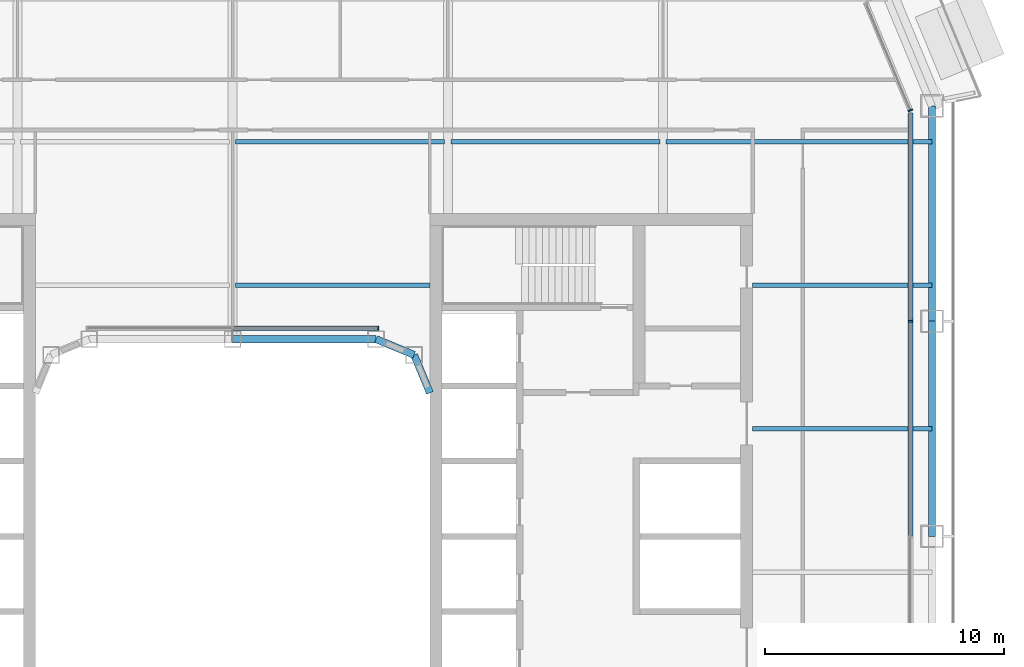
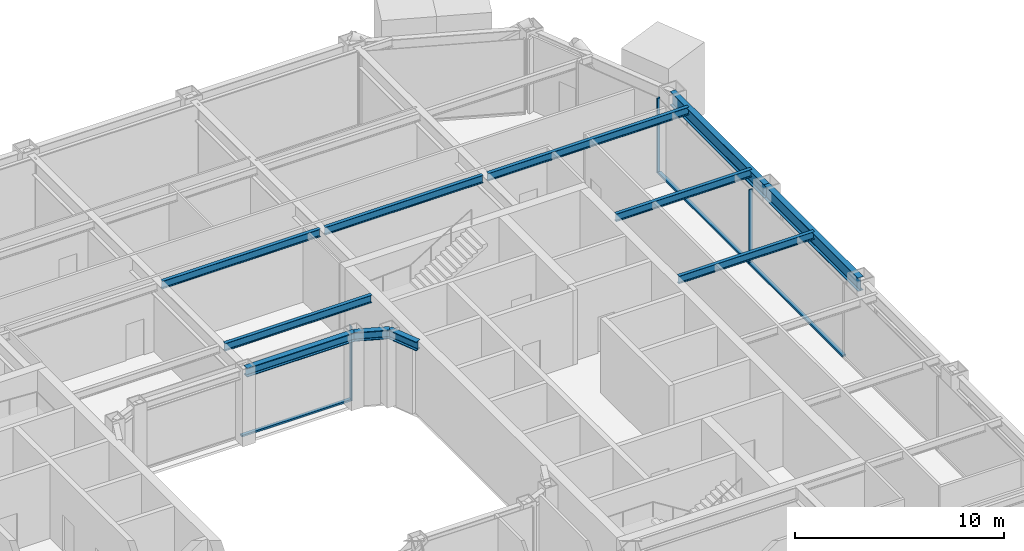
# One storey, part 8 of 24: 11 beams, 6 members, 3 elements without a shape of their own.
"""IFC4 building model written with IfcOpenShell, lengths in metres."""

from ifc_helpers import new_model, si_unit, direction, frame, origin, origin_2d, place, context, subcontext, project, spatial, rectangle, i_section, extrude, material, layer, layer_set, material_profile, profile_set, type_object, element, aggregate, save


model = new_model("IFC4")

# Units and contexts
model_context = context("Model", 3, precision=1e-05, world=origin(), true_north=direction((0.0, 1.0)))
body_context = subcontext(model_context, "Body", "Model", "MODEL_VIEW")
ifc_project = project(units=[si_unit("LENGTHUNIT", "METRE"), si_unit("AREAUNIT", "SQUARE_METRE"), si_unit("VOLUMEUNIT", "CUBIC_METRE"), si_unit("PLANEANGLEUNIT", "RADIAN"), si_unit("MASSUNIT", "GRAM", prefix="KILO")], contexts=[model_context])

# Site, building, storey
site_placement = place(None, origin())
site = spatial("IfcSite", under=ifc_project, at=site_placement, CompositionType="ELEMENT")
building_placement = place(site_placement, origin())
building = spatial("IfcBuilding", under=site, at=building_placement, Name="Siwar Civic Tower", CompositionType="ELEMENT")
storey_placement = place(building_placement, frame((0.0, 0.0, 113.699951171875)))
storey = spatial("IfcBuildingStorey", under=building, at=storey_placement, Name="L24", CompositionType="ELEMENT", Elevation=113.699951171875)

# Curtain wall, member
ifc_material_1 = material(Name="Aluminium and glass", Category="aluminium")
ifc_layer_1 = layer(ifc_material_1, 0.199951171875)
ifc_layer_set_1 = layer_set([ifc_layer_1], Name="Aluminium and glass")
curtain_wall_type_1 = type_object("IfcCurtainWallType", Name="ENV-CW-B", PredefinedType="NOTDEFINED", material=ifc_layer_set_1)
curtain_wall_1_placement = place(storey_placement, origin())
curtain_wall_1 = element("IfcCurtainWall", 1, at=curtain_wall_1_placement, inside=storey, type_object=curtain_wall_type_1, Name="Curtain wall B E", PredefinedType="NOTDEFINED")
ifc_material_2 = material(Name="Aluminium 6063-T6", Category="aluminium")
ifc_material_profile_1 = material_profile(ifc_material_2, rectangle(XDim=0.199951171875, YDim=0.06494140625, at=origin_2d()), Name="AL 200x65")
ifc_profile_set_1 = profile_set([ifc_material_profile_1], Name="Aluminium 6063-T6")
member_type_1 = type_object("IfcMemberType", Name="ENV-MULLION-B", PredefinedType="MULLION", material=ifc_profile_set_1)
member_1_placement = place(storey_placement, frame((28.35009765625, 9.0, 0.0), z_axis=(0.0, 0.0, 1.0), x_axis=(-1.0, 0.0, 0.0)))
member_1 = element("IfcMember", 2, at=member_1_placement, type_object=member_type_1, Name="Mullion B E 4", PredefinedType="MULLION", context=body_context, shape_type="SweptSolid", body=[
    extrude(rectangle(XDim=0.199951171875, YDim=0.06494140625, at=origin_2d()), origin(), (0.0, 0.0, 1.0), 4.35009765625),
])

ifc_material_3 = material(Name="Aluminium clad insulated panel", Category="aluminium")
ifc_layer_2 = layer(ifc_material_3, 0.199951171875)
ifc_layer_set_2 = layer_set([ifc_layer_2], Name="Aluminium clad insulated panel")
curtain_wall_type_2 = type_object("IfcCurtainWallType", Name="ENV-CW-BX", PredefinedType="NOTDEFINED", material=ifc_layer_set_2)
curtain_wall_2_placement = place(storey_placement, origin())
curtain_wall_2 = element("IfcCurtainWall", 3, at=curtain_wall_2_placement, inside=storey, type_object=curtain_wall_type_2, Name="Curtain wall B NE1", PredefinedType="NOTDEFINED")
member_2_placement = place(storey_placement, frame((28.35009765625, 17.821044921875, 0.0), z_axis=(0.0, 0.0, 1.0), x_axis=(-0.923879532511, -0.382683432365, 0.0)))
member_2 = element("IfcMember", 4, at=member_2_placement, type_object=member_type_1, Name="Mullion B NE1 1", PredefinedType="MULLION", context=body_context, shape_type="SweptSolid", body=[
    extrude(rectangle(XDim=0.199951171875, YDim=0.06494140625, at=origin_2d()), origin(), (0.0, 0.0, 1.0), 4.35009765625),
])
aggregate(curtain_wall_2, [member_2])

ifc_material_4 = material(Name="Aluminium and glass", Category="aluminium")
ifc_layer_3 = layer(ifc_material_4, 0.179931640625)
ifc_layer_set_3 = layer_set([ifc_layer_3], Name="Aluminium and glass")
curtain_wall_type_3 = type_object("IfcCurtainWallType", Name="ENV-CW-W", PredefinedType="NOTDEFINED", material=ifc_layer_set_3)
curtain_wall_3_placement = place(storey_placement, origin())
curtain_wall_3 = element("IfcCurtainWall", 5, at=curtain_wall_3_placement, inside=storey, type_object=curtain_wall_type_3, Name="Curtain wall W WN", PredefinedType="NOTDEFINED")
ifc_material_5 = material(Name="Aluminium 6063-T6", Category="aluminium")
ifc_material_profile_2 = material_profile(ifc_material_5, rectangle(XDim=0.179931640625, YDim=0.06005859375, at=origin_2d()), Name="AL 180x60")
ifc_profile_set_2 = profile_set([ifc_material_profile_2], Name="Aluminium 6063-T6")
member_type_2 = type_object("IfcMemberType", Name="ENV-MULLION-W", PredefinedType="MULLION", material=ifc_profile_set_2)
member_3_placement = place(storey_placement, frame((6.091552734375, 8.7099609375, 0.0), z_axis=(0.0, 0.0, 1.0), x_axis=(0.0, -1.0, 0.0)))
member_3 = element("IfcMember", 6, at=member_3_placement, type_object=member_type_2, Name="Mullion W WN 1", PredefinedType="MULLION", context=body_context, shape_type="SweptSolid", body=[
    extrude(rectangle(XDim=0.179931640625, YDim=0.06005859375, at=origin_2d()), origin(), (0.0, 0.0, 1.0), 4.35009765625),
])

# Member
ifc_material_6 = material(Name="Aluminium 6063-T6", Category="aluminium")
ifc_material_profile_3 = material_profile(ifc_material_6, rectangle(XDim=0.199951171875, YDim=0.110107421875, at=origin_2d()), Name="AL 200x110")
ifc_profile_set_3 = profile_set([ifc_material_profile_3], Name="Aluminium 6063-T6")
member_type_3 = type_object("IfcMemberType", Name="ENV-TRANSOM-B", PredefinedType="USERDEFINED", material=ifc_profile_set_3)
member_4_placement = place(storey_placement, frame((28.35009765625, 0.032470703125, 0.054931640625), z_axis=(0.0, 1.0, 0.0), x_axis=(-1.0, 0.0, 0.0)))
member_4 = element("IfcMember", 7, at=member_4_placement, type_object=member_type_3, Name="Transom B E 3", ObjectType="TRANSOM", PredefinedType="USERDEFINED", context=body_context, shape_type="SweptSolid", body=[
    extrude(rectangle(XDim=0.199951171875, YDim=0.110107421875, at=origin_2d()), origin(), (0.0, 0.0, 1.0), 8.93505859375),
])

member_5_placement = place(storey_placement, frame((28.35009765625, 9.032470703125, 0.054931640625), z_axis=(0.0, 1.0, 0.0), x_axis=(-1.0, 0.0, 0.0)))
member_5 = element("IfcMember", 8, at=member_5_placement, type_object=member_type_3, Name="Transom B E 4", ObjectType="TRANSOM", PredefinedType="USERDEFINED", context=body_context, shape_type="SweptSolid", body=[
    extrude(rectangle(XDim=0.199951171875, YDim=0.110107421875, at=origin_2d()), origin(), (0.0, 0.0, 1.0), 8.6748046875),
])

aggregate(curtain_wall_1, [member_1, member_4, member_5])

ifc_material_7 = material(Name="Aluminium 6063-T6", Category="aluminium")
ifc_material_profile_4 = material_profile(ifc_material_7, rectangle(XDim=0.179931640625, YDim=0.10009765625, at=origin_2d()), Name="AL 180x100")
ifc_profile_set_4 = profile_set([ifc_material_profile_4], Name="Aluminium 6063-T6")
member_type_4 = type_object("IfcMemberType", Name="ENV-TRANSOM-W", PredefinedType="USERDEFINED", material=ifc_profile_set_4)
member_6_placement = place(storey_placement, frame((6.0615234375, 8.7099609375, 0.050048828125), z_axis=(-1.0, 0.0, 0.0), x_axis=(0.0, -1.0, 0.0)))
member_6 = element("IfcMember", 9, at=member_6_placement, type_object=member_type_4, Name="Transom W WN 1", ObjectType="TRANSOM", PredefinedType="USERDEFINED", context=body_context, shape_type="SweptSolid", body=[
    extrude(rectangle(XDim=0.179931640625, YDim=0.10009765625, at=origin_2d()), origin(), (0.0, 0.0, 1.0), 6.031494140625),
])

aggregate(curtain_wall_3, [member_3, member_6])

# Beams
ifc_material_8 = material(Name="Steel S355", Category="steel")
ifc_material_profile_5 = material_profile(ifc_material_8, i_section(OverallWidth=0.18994140625, OverallDepth=0.449951171875, WebThickness=0.009521484375, FlangeThickness=0.0146484375, FilletRadius=0.02099609375, at=origin_2d()), Name="IPE450")
ifc_profile_set_5 = profile_set([ifc_material_profile_5], Name="Steel S355")
beam_type_1 = type_object("IfcBeamType", Name="STR-FB-IPE450", PredefinedType="JOIST", material=ifc_profile_set_5)
beam_1_placement = place(storey_placement, frame((21.75, 4.5, 4.125), z_axis=(1.0, 0.0, 0.0), x_axis=(0.0, 1.0, 0.0)))
element("IfcBeam", 10, at=beam_1_placement, inside=storey, type_object=beam_type_1, Name="L24/bm/F026", PredefinedType="JOIST", context=body_context, shape_type="SweptSolid", body=[
    extrude(i_section(OverallWidth=0.18994140625, OverallDepth=0.449951171875, WebThickness=0.009521484375, FlangeThickness=0.0146484375, FilletRadius=0.02099609375, at=origin_2d()), origin(), (0.0, 0.0, 1.0), 7.5),
])
beam_2_placement = place(storey_placement, frame((0.1298828125, 10.5, 4.125), z_axis=(1.0, 0.0, 0.0), x_axis=(0.0, 1.0, 0.0)))
element("IfcBeam", 11, at=beam_2_placement, inside=storey, type_object=beam_type_1, Name="L24/bm/F029", PredefinedType="JOIST", context=body_context, shape_type="SweptSolid", body=[
    extrude(i_section(OverallWidth=0.18994140625, OverallDepth=0.449951171875, WebThickness=0.009521484375, FlangeThickness=0.0146484375, FilletRadius=0.02099609375, at=origin_2d()), origin(), (0.0, 0.0, 1.0), 8.1201171875),
])
beam_3_placement = place(storey_placement, frame((21.75, 10.5, 4.125), z_axis=(1.0, 0.0, 0.0), x_axis=(0.0, 1.0, 0.0)))
element("IfcBeam", 12, at=beam_3_placement, inside=storey, type_object=beam_type_1, Name="L24/bm/F030", PredefinedType="JOIST", context=body_context, shape_type="SweptSolid", body=[
    extrude(i_section(OverallWidth=0.18994140625, OverallDepth=0.449951171875, WebThickness=0.009521484375, FlangeThickness=0.0146484375, FilletRadius=0.02099609375, at=origin_2d()), origin(), (0.0, 0.0, 1.0), 7.5),
])
for number, where, z_axis, x_axis, name in (
    (13, (0.1298828125, 16.5, 4.125), (1.0, 0.0, 0.0), (0.0, 1.0, 0.0), "L24/bm/F034"),
    (14, (9.1298828125, 16.5, 4.125), (1.0, 0.0, 0.0), (0.0, 1.0, 0.0), "L24/bm/F035"),
):
    element("IfcBeam", number, at=place(storey_placement, frame(where, z_axis=z_axis, x_axis=x_axis)), inside=storey, type_object=beam_type_1, Name=name, PredefinedType="JOIST", context=body_context, shape_type="SweptSolid", body=[
        extrude(i_section(OverallWidth=0.18994140625, OverallDepth=0.449951171875, WebThickness=0.009521484375, FlangeThickness=0.0146484375, FilletRadius=0.02099609375, at=origin_2d()), origin(), (0.0, 0.0, 1.0), 8.740234375),
    ])
beam_4_placement = place(storey_placement, frame((18.1298828125, 16.5, 4.125), z_axis=(1.0, 0.0, 0.0), x_axis=(0.0, 1.0, 0.0)))
element("IfcBeam", 15, at=beam_4_placement, inside=storey, type_object=beam_type_1, Name="L24/bm/F036", PredefinedType="JOIST", context=body_context, shape_type="SweptSolid", body=[
    extrude(i_section(OverallWidth=0.18994140625, OverallDepth=0.449951171875, WebThickness=0.009521484375, FlangeThickness=0.0146484375, FilletRadius=0.02099609375, at=origin_2d()), origin(), (0.0, 0.0, 1.0), 11.1201171875),
])
ifc_material_9 = material(Name="Steel S355", Category="steel")
ifc_material_profile_6 = material_profile(ifc_material_9, i_section(OverallWidth=0.305908203125, OverallDepth=0.52392578125, WebThickness=0.02099609375, FlangeThickness=0.0400390625, FilletRadius=0.027099609375, at=origin_2d()), Name="HEM500")
ifc_profile_set_6 = profile_set([ifc_material_profile_6], Name="Steel S355")
beam_type_2 = type_object("IfcBeamType", Name="STR-RB-HEM500", PredefinedType="BEAM", material=ifc_profile_set_6)
beam_5_placement = place(storey_placement, frame((0.0, 8.25, 4.088134765625), z_axis=(1.0, 0.0, 0.0), x_axis=(0.0, 1.0, 0.0)))
element("IfcBeam", 16, at=beam_5_placement, inside=storey, type_object=beam_type_2, Name="L24/bm/RN2", PredefinedType="BEAM", context=body_context, shape_type="SweptSolid", body=[
    extrude(i_section(OverallWidth=0.305908203125, OverallDepth=0.52392578125, WebThickness=0.02099609375, FlangeThickness=0.0400390625, FilletRadius=0.027099609375, at=origin_2d()), origin(), (0.0, 0.0, 1.0), 6.0),
])
for number, where, z_axis, x_axis, name in (
    (17, (6.0, 8.25, 4.088134765625), (0.923901072997, -0.382631424892, 0.0), (0.382631424892, 0.923901072997, 0.0), "L24/bm/RN3"),
    (18, (7.591064453125, 7.591064453125, 4.088134765625), (0.382631424892, -0.923901072997, 0.0), (0.923901072997, 0.382631424892, 0.0), "L24/bm/RNEE"),
):
    element("IfcBeam", number, at=place(storey_placement, frame(where, z_axis=z_axis, x_axis=x_axis)), inside=storey, type_object=beam_type_2, Name=name, PredefinedType="BEAM", context=body_context, shape_type="SweptSolid", body=[
        extrude(i_section(OverallWidth=0.305908203125, OverallDepth=0.52392578125, WebThickness=0.02099609375, FlangeThickness=0.0400390625, FilletRadius=0.027099609375, at=origin_2d()), origin(), (0.0, 0.0, 1.0), 1.72216796875),
    ])
ifc_material_10 = material(Name="Steel S355", Category="steel")
ifc_material_profile_7 = material_profile(ifc_material_10, i_section(OverallWidth=0.300048828125, OverallDepth=0.800048828125, WebThickness=0.017578125, FlangeThickness=0.032958984375, FilletRadius=0.030029296875, at=origin_2d()), Name="HEB800")
ifc_profile_set_7 = profile_set([ifc_material_profile_7], Name="Steel S355")
beam_type_3 = type_object("IfcBeamType", Name="STR-SB-HEB800", PredefinedType="BEAM", material=ifc_profile_set_7)
for number, where, z_axis, x_axis, name in (
    (19, (29.25, 0.0, 3.949951171875), (0.0, 1.0, 0.0), (-1.0, 0.0, 0.0), "L24/bm/SE-2"),
    (20, (29.25, 9.0, 3.949951171875), (0.0, 1.0, 0.0), (-1.0, 0.0, 0.0), "L24/bm/SE-3"),
):
    element("IfcBeam", number, at=place(storey_placement, frame(where, z_axis=z_axis, x_axis=x_axis)), inside=storey, type_object=beam_type_3, Name=name, PredefinedType="BEAM", context=body_context, shape_type="SweptSolid", body=[
        extrude(i_section(OverallWidth=0.300048828125, OverallDepth=0.800048828125, WebThickness=0.017578125, FlangeThickness=0.032958984375, FilletRadius=0.030029296875, at=origin_2d()), origin(), (0.0, 0.0, 1.0), 9.0),
    ])

save(model, "model.ifc")
